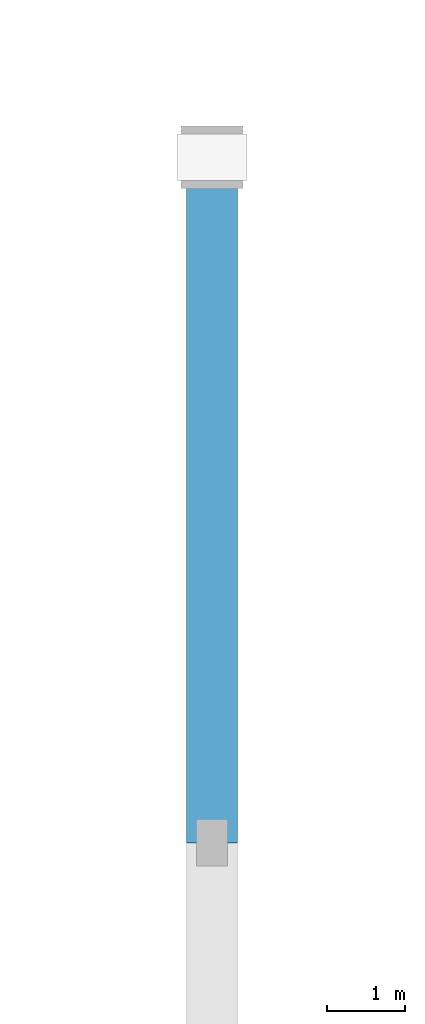
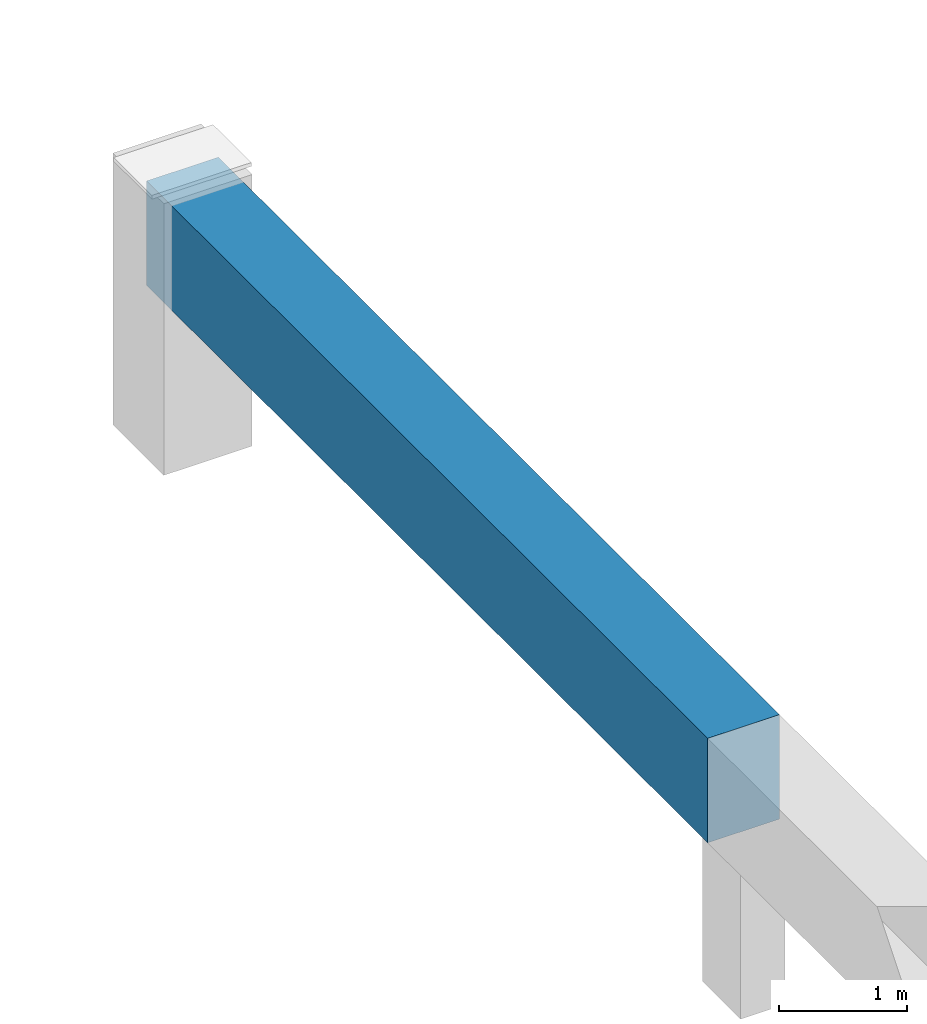
# One storey, part 24 of 65: 1 beam.
"""IFC4 building model written with IfcOpenShell, lengths in metres."""

from ifc_helpers import new_model, si_unit, direction, frame, origin, origin_2d, place, context, subcontext, project, spatial, rectangle, extrude, material, material_profile, profile_set, type_object, element, save


model = new_model("IFC4")

# Units and contexts
model_context = context("Model", 3, precision=1e-05, world=origin(), true_north=direction((0.0, 1.0)))
body_context = subcontext(model_context, "Body", "Model", "MODEL_VIEW")
ifc_project = project(units=[si_unit("LENGTHUNIT", "METRE"), si_unit("AREAUNIT", "SQUARE_METRE"), si_unit("VOLUMEUNIT", "CUBIC_METRE"), si_unit("PLANEANGLEUNIT", "RADIAN"), si_unit("MASSUNIT", "GRAM", prefix="KILO")], contexts=[model_context])

# Site, building, storey
site_placement = place(None, origin())
site = spatial("IfcSite", under=ifc_project, at=site_placement, CompositionType="ELEMENT")
building_placement = place(site_placement, origin())
building = spatial("IfcBuilding", under=site, at=building_placement, Name="Chalmorin Arch Market", CompositionType="ELEMENT")
storey_placement = place(building_placement, frame((0.0, 0.0, 14.10009765625)))
storey = spatial("IfcBuildingStorey", under=building, at=storey_placement, Name="L03", CompositionType="ELEMENT", Elevation=14.10009765625)

# Beam
ifc_material = material(Name="Concrete C50/60", Category="concrete")
ifc_material_profile = material_profile(ifc_material, rectangle(XDim=0.64990234375, YDim=1.0, at=origin_2d()), Name="RC650X1000")
ifc_profile_set = profile_set([ifc_material_profile], Name="Concrete C50/60")
beam_type = type_object("IfcBeamType", Name="ArchTieGirder-650x1000", PredefinedType="BEAM", material=ifc_profile_set)
beam_placement = place(storey_placement, frame((86.39990234375, 50.0, 2.0498046875), z_axis=(0.0, 1.0, 0.0), x_axis=(-1.0, 0.0, 0.0)))
element("IfcBeam", 1, at=beam_placement, inside=storey, type_object=beam_type, Name="ATG-01-1679", PredefinedType="BEAM", context=body_context, shape_type="SweptSolid", body=[
    extrude(rectangle(XDim=0.64990234375, YDim=1.0, at=origin_2d()), origin(), (0.0, 0.0, 1.0), 8.800048828125),
])

save(model, "model.ifc")
